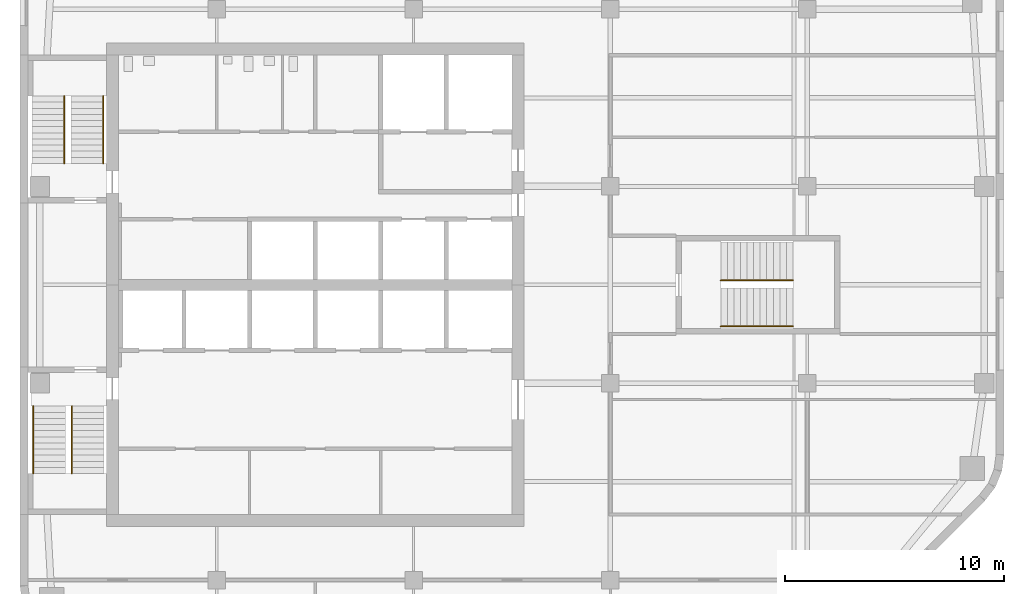
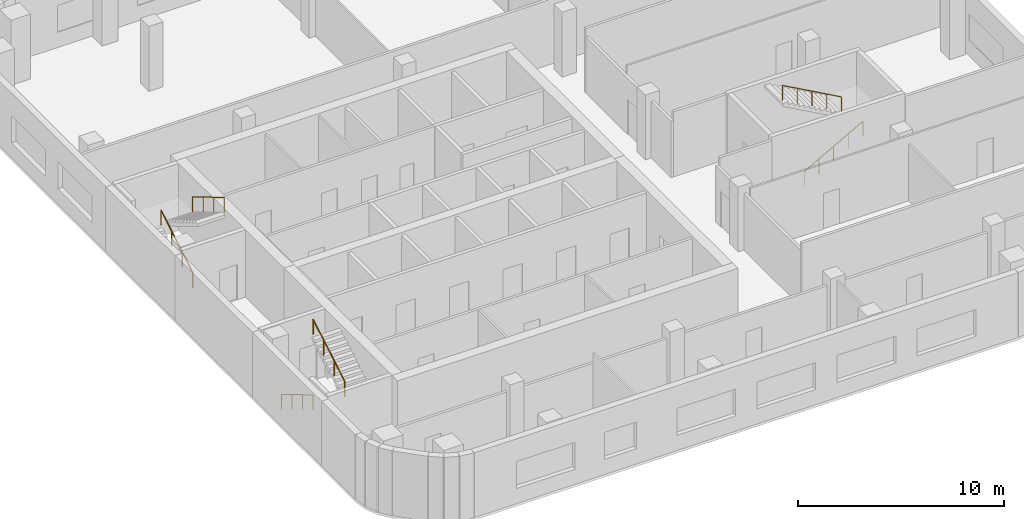
# One storey, part 7 of 8: 6 railings, 3 elements without a shape of their own.
"""IFC4 building model written with IfcOpenShell, lengths in metres."""

from ifc_helpers import new_model, si_unit, direction, frame, origin, origin_2d, place, context, subcontext, project, spatial, circle, extrude, material, type_object, element, aggregate, save


model = new_model("IFC4")

# Units and contexts
model_context = context("Model", 3, precision=1e-05, world=origin(), true_north=direction((0.0, 1.0)))
body_context = subcontext(model_context, "Body", "Model", "MODEL_VIEW")
ifc_project = project(units=[si_unit("LENGTHUNIT", "METRE"), si_unit("AREAUNIT", "SQUARE_METRE"), si_unit("VOLUMEUNIT", "CUBIC_METRE"), si_unit("PLANEANGLEUNIT", "RADIAN"), si_unit("MASSUNIT", "GRAM", prefix="KILO")], contexts=[model_context])

# Site, building, storey
site_placement = place(None, origin())
site = spatial("IfcSite", under=ifc_project, at=site_placement, CompositionType="ELEMENT")
building_placement = place(site_placement, origin())
building = spatial("IfcBuilding", under=site, at=building_placement, Name="Cinnabar Reach Civic Tower", CompositionType="ELEMENT")
storey_placement = place(building_placement, frame((0.0, 0.0, 222.0)))
storey = spatial("IfcBuildingStorey", under=building, at=storey_placement, Name="L53", CompositionType="ELEMENT", Elevation=222.0)

# Stair, railings
ifc_material_1 = material(Name="Concrete C40/50", Category="concrete")
stair_type = type_object("IfcStairType", Name="T1 Exit stair, half-turn", PredefinedType="HALF_TURN_STAIR", material=ifc_material_1)
stair_1_placement = place(storey_placement, origin())
stair_1 = element("IfcStair", 1, at=stair_1_placement, inside=storey, type_object=stair_type, Name="Stair T1-S1", PredefinedType="HALF_TURN_STAIR")
ifc_material_2 = material(Name="Stainless steel tube", Category="steel")
railing_type = type_object("IfcRailingType", Name="T1 Stair handrail, stainless tube 48", PredefinedType="HANDRAIL", material=ifc_material_2)
railing_1_placement = place(storey_placement, frame((0.6, 25.95, 0.1667)))
railing_1 = element("IfcRailing", 2, at=railing_1_placement, type_object=railing_type, Name="T1-S1 handrail 1", PredefinedType="HANDRAIL", context=body_context, shape_type="SweptSolid", body=[
    extrude(circle(Radius=0.024, at=origin_2d()), frame((0.0, 0.0, 0.876), z_axis=(0.0, -0.859296971757, 0.511476992962), x_axis=(1.0, 0.0, 0.0)), (0.0, 0.0, 1.0), 3.5843),
    extrude(circle(Radius=0.021, at=origin_2d()), origin(), (0.0, 0.0, 1.0), 0.852),
    extrude(circle(Radius=0.021, at=origin_2d()), frame((0.0, -1.0267, 0.6111)), (0.0, 0.0, 1.0), 0.852),
    extrude(circle(Radius=0.021, at=origin_2d()), frame((0.0, -2.0533, 1.2222)), (0.0, 0.0, 1.0), 0.852),
    extrude(circle(Radius=0.021, at=origin_2d()), frame((0.0, -3.08, 1.8333)), (0.0, 0.0, 1.0), 0.852),
])
railing_2_placement = place(storey_placement, frame((2.375, 22.87, 2.1667)))
railing_2 = element("IfcRailing", 3, at=railing_2_placement, type_object=railing_type, Name="T1-S1 handrail 2", PredefinedType="HANDRAIL", context=body_context, shape_type="SweptSolid", body=[
    extrude(circle(Radius=0.024, at=origin_2d()), frame((0.0, 0.0, 0.876), z_axis=(0.0, 0.859296971757, 0.511476992962), x_axis=(-1.0, 0.0, 0.0)), (0.0, 0.0, 1.0), 3.5843),
    extrude(circle(Radius=0.021, at=origin_2d()), origin(), (0.0, 0.0, 1.0), 0.852),
    extrude(circle(Radius=0.021, at=origin_2d()), frame((0.0, 1.0267, 0.6111)), (0.0, 0.0, 1.0), 0.852),
    extrude(circle(Radius=0.021, at=origin_2d()), frame((0.0, 2.0533, 1.2222)), (0.0, 0.0, 1.0), 0.852),
    extrude(circle(Radius=0.021, at=origin_2d()), frame((0.0, 3.08, 1.8333)), (0.0, 0.0, 1.0), 0.852),
])
aggregate(stair_1, [railing_1, railing_2])

stair_2_placement = place(storey_placement, origin())
stair_2 = element("IfcStair", 4, at=stair_2_placement, inside=storey, type_object=stair_type, Name="Stair T1-S2", PredefinedType="HALF_TURN_STAIR")
railing_3_placement = place(storey_placement, frame((2.025, 37.05, 0.1667)))
railing_3 = element("IfcRailing", 5, at=railing_3_placement, type_object=railing_type, Name="T1-S2 handrail 1", PredefinedType="HANDRAIL", context=body_context, shape_type="SweptSolid", body=[
    extrude(circle(Radius=0.024, at=origin_2d()), frame((0.0, 0.0, 0.876), z_axis=(0.0, 0.859296971757, 0.511476992962), x_axis=(-1.0, 0.0, 0.0)), (0.0, 0.0, 1.0), 3.5843),
    extrude(circle(Radius=0.021, at=origin_2d()), origin(), (0.0, 0.0, 1.0), 0.852),
    extrude(circle(Radius=0.021, at=origin_2d()), frame((0.0, 1.0267, 0.6111)), (0.0, 0.0, 1.0), 0.852),
    extrude(circle(Radius=0.021, at=origin_2d()), frame((0.0, 2.0533, 1.2222)), (0.0, 0.0, 1.0), 0.852),
    extrude(circle(Radius=0.021, at=origin_2d()), frame((0.0, 3.08, 1.8333)), (0.0, 0.0, 1.0), 0.852),
])
railing_4_placement = place(storey_placement, frame((3.8, 40.13, 2.1667)))
railing_4 = element("IfcRailing", 6, at=railing_4_placement, type_object=railing_type, Name="T1-S2 handrail 2", PredefinedType="HANDRAIL", context=body_context, shape_type="SweptSolid", body=[
    extrude(circle(Radius=0.024, at=origin_2d()), frame((0.0, 0.0, 0.876), z_axis=(0.0, -0.859296971757, 0.511476992962), x_axis=(1.0, 0.0, 0.0)), (0.0, 0.0, 1.0), 3.5843),
    extrude(circle(Radius=0.021, at=origin_2d()), origin(), (0.0, 0.0, 1.0), 0.852),
    extrude(circle(Radius=0.021, at=origin_2d()), frame((0.0, -1.0267, 0.6111)), (0.0, 0.0, 1.0), 0.852),
    extrude(circle(Radius=0.021, at=origin_2d()), frame((0.0, -2.0533, 1.2222)), (0.0, 0.0, 1.0), 0.852),
    extrude(circle(Radius=0.021, at=origin_2d()), frame((0.0, -3.08, 1.8333)), (0.0, 0.0, 1.0), 0.852),
])
aggregate(stair_2, [railing_3, railing_4])

stair_3_placement = place(storey_placement, origin())
stair_3 = element("IfcStair", 7, at=stair_3_placement, inside=storey, type_object=stair_type, Name="Stair T1-S3", PredefinedType="HALF_TURN_STAIR")
railing_5_placement = place(storey_placement, frame((32.05, 29.6, 0.1667)))
railing_5 = element("IfcRailing", 8, at=railing_5_placement, type_object=railing_type, Name="T1-S3 handrail 1", PredefinedType="HANDRAIL", context=body_context, shape_type="SweptSolid", body=[
    extrude(circle(Radius=0.024, at=origin_2d()), frame((0.0, 0.0, 0.876), z_axis=(0.874161024642, 0.0, 0.485636183781), x_axis=(0.0, 1.0, 0.0)), (0.0, 0.0, 1.0), 3.775),
    extrude(circle(Radius=0.021, at=origin_2d()), origin(), (0.0, 0.0, 1.0), 0.852),
    extrude(circle(Radius=0.021, at=origin_2d()), frame((0.825, 0.0, 0.4583)), (0.0, 0.0, 1.0), 0.852),
    extrude(circle(Radius=0.021, at=origin_2d()), frame((1.65, 0.0, 0.9167)), (0.0, 0.0, 1.0), 0.852),
    extrude(circle(Radius=0.021, at=origin_2d()), frame((2.475, 0.0, 1.375)), (0.0, 0.0, 1.0), 0.852),
    extrude(circle(Radius=0.021, at=origin_2d()), frame((3.3, 0.0, 1.8333)), (0.0, 0.0, 1.0), 0.852),
])
railing_6_placement = place(storey_placement, frame((35.35, 31.7, 2.1667)))
railing_6 = element("IfcRailing", 9, at=railing_6_placement, type_object=railing_type, Name="T1-S3 handrail 2", PredefinedType="HANDRAIL", context=body_context, shape_type="SweptSolid", body=[
    extrude(circle(Radius=0.024, at=origin_2d()), frame((0.0, 0.0, 0.876), z_axis=(-0.874161024642, 0.0, 0.485636183781), x_axis=(0.0, -1.0, 0.0)), (0.0, 0.0, 1.0), 3.775),
    extrude(circle(Radius=0.021, at=origin_2d()), origin(), (0.0, 0.0, 1.0), 0.852),
    extrude(circle(Radius=0.021, at=origin_2d()), frame((-0.825, 0.0, 0.4583)), (0.0, 0.0, 1.0), 0.852),
    extrude(circle(Radius=0.021, at=origin_2d()), frame((-1.65, 0.0, 0.9167)), (0.0, 0.0, 1.0), 0.852),
    extrude(circle(Radius=0.021, at=origin_2d()), frame((-2.475, 0.0, 1.375)), (0.0, 0.0, 1.0), 0.852),
    extrude(circle(Radius=0.021, at=origin_2d()), frame((-3.3, 0.0, 1.8333)), (0.0, 0.0, 1.0), 0.852),
])
aggregate(stair_3, [railing_5, railing_6])

save(model, "model.ifc")
